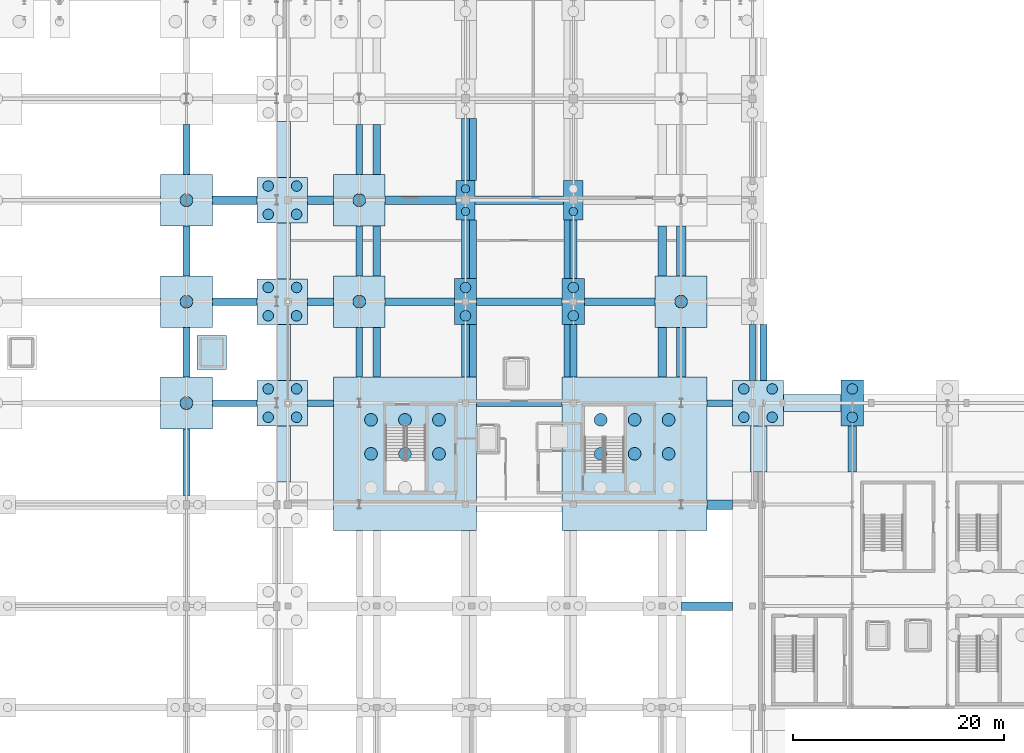
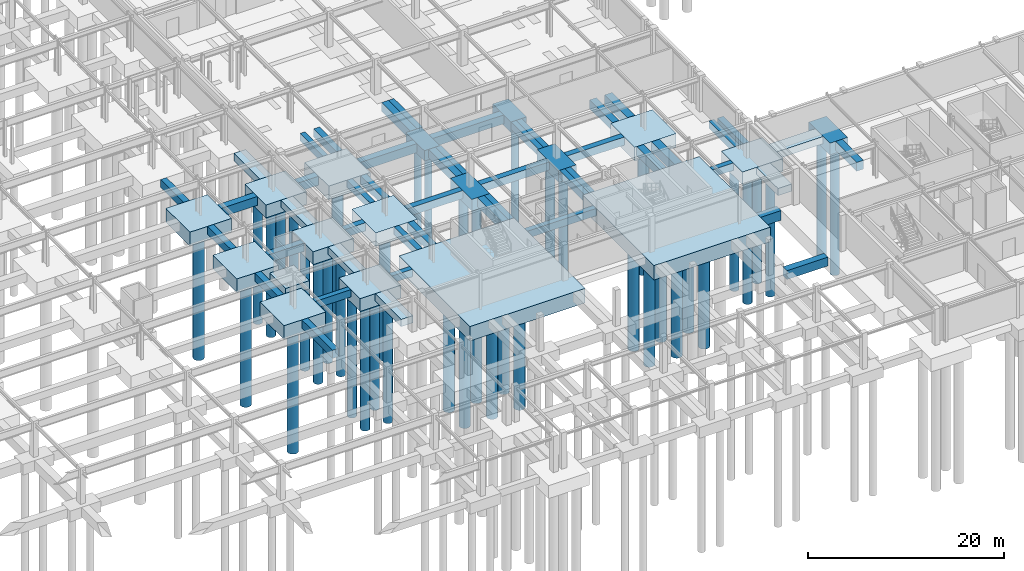
# One storey, part 3 of 59: 66 footings, 43 piles.
"""IFC4 building model written with IfcOpenShell, lengths in metres."""

import ifcopenshell
import ifcopenshell.guid

model = None  # the IFC model being written
_history = None  # IfcOwnerHistory: only IFC2X3 demands one
_inside = {}  # id of a spatial element -> (the spatial element, [elements in it])
_under = {}  # id of a project, library or spatial element -> (it, [spatial elements below it])
_declared = {}  # id of a project -> (the project, [libraries it declares])
_typed = {}  # id of a type object -> (the type object, [elements of that type])
_made_of = {}  # id of a material, layer set ... -> (it, [elements and type objects made of it])


def new_model(schema):
    """Start an empty IFC model of exactly this schema.

    Asked for "IFC4X3", IfcOpenShell would pick the latest addendum, in which some entities
    have other attributes; the version numbers below select the first issue.
    IFC2X3 requires an IfcOwnerHistory on every rooted entity: one is made here for all.
    """
    global model, _history
    if schema == "IFC4X3":
        model = ifcopenshell.file(schema_version=(4, 3, 0, 0))
    else:
        model = ifcopenshell.file(schema=schema)
    _inside.clear()
    _under.clear()
    _declared.clear()
    _typed.clear()
    _made_of.clear()
    _history = None
    if model.schema == "IFC2X3":
        org = make("IfcOrganization", Name="unknown")
        user = make(
            "IfcPersonAndOrganization",
            ThePerson=make("IfcPerson", FamilyName="unknown"),
            TheOrganization=org,
        )
        app = make(
            "IfcApplication",
            ApplicationDeveloper=org,
            Version="unknown",
            ApplicationFullName="unknown",
            ApplicationIdentifier="unknown",
        )
        _history = make(
            "IfcOwnerHistory",
            OwningUser=user,
            OwningApplication=app,
            ChangeAction="ADDED",
            CreationDate=0,
        )
    return model


def make(cls, **values):
    """One entity of the class cls with the attributes given. An attribute that is None is left unset."""
    return model.create_entity(
        cls, **{name: value for name, value in values.items() if value is not None}
    )


def rooted(cls, **values):
    """An entity with a GlobalId (a new one), such as an element, a storey or a relation."""
    return make(cls, GlobalId=ifcopenshell.guid.new(), OwnerHistory=_history, **values)


def si_unit(unit_type, name, prefix=None):
    """IfcSIUnit, for example si_unit("LENGTHUNIT", "METRE", prefix="MILLI")."""
    return make("IfcSIUnit", UnitType=unit_type, Prefix=prefix, Name=name)


def assignment(units):
    """IfcUnitAssignment: the units of a project."""
    return None if units is None else make("IfcUnitAssignment", Units=units)


def point(xyz):
    """IfcCartesianPoint."""
    return None if xyz is None else make("IfcCartesianPoint", Coordinates=xyz)


def direction(xyz):
    """IfcDirection."""
    return None if xyz is None else make("IfcDirection", DirectionRatios=xyz)


def frame(location, z_axis=None, x_axis=None):
    """IfcAxis2Placement3D, a coordinate frame: its origin and axes. An axis left out is left unset."""
    return make(
        "IfcAxis2Placement3D",
        Location=point(location),
        Axis=direction(z_axis),
        RefDirection=direction(x_axis),
    )


def frame_2d(location, x_axis=None):
    """IfcAxis2Placement2D, a coordinate frame in the plane: its origin and x axis."""
    return make(
        "IfcAxis2Placement2D", Location=point(location), RefDirection=direction(x_axis)
    )


def origin():
    """The frame at (0, 0, 0) with its axes left unset."""
    return frame((0.0, 0.0, 0.0))


def origin_2d():
    """The frame at (0, 0) in the plane with its x axis left unset."""
    return frame_2d((0.0, 0.0))


def place(relative_to, where):
    """IfcLocalPlacement: puts the frame where relative to a parent placement (None: the world)."""
    return make(
        "IfcLocalPlacement", PlacementRelTo=relative_to, RelativePlacement=where
    )


def context(
    kind, dimensions, precision=None, world=None, true_north=None, identifier=None
):
    """IfcGeometricRepresentationContext, for example the 3D "Model" context."""
    return make(
        "IfcGeometricRepresentationContext",
        ContextIdentifier=identifier,
        ContextType=kind,
        CoordinateSpaceDimension=dimensions,
        Precision=precision,
        WorldCoordinateSystem=world,
        TrueNorth=true_north,
    )


def subcontext(parent, identifier, kind, view, scale=None):
    """IfcGeometricRepresentationSubContext, for example "Body" below "Model"."""
    return make(
        "IfcGeometricRepresentationSubContext",
        ContextIdentifier=identifier,
        ContextType=kind,
        ParentContext=parent,
        TargetScale=scale,
        TargetView=view,
    )


def project(units=None, contexts=None):
    """IfcProject with its units and contexts."""
    return rooted(
        "IfcProject",
        Name="project",
        RepresentationContexts=contexts,
        UnitsInContext=assignment(units),
    )


def spatial(cls, under=None, at=None, **own):
    """A site, building, storey or space (cls), placed at a placement, below another one or the project."""
    s = rooted(cls, ObjectPlacement=at, **own)
    if under is not None:
        _under.setdefault(under.id(), (under, []))[1].append(s)
    return s


def profile(cls, at=None, kind="AREA", **sizes):
    """A parametric profile (cls). Its sizes go by their IFC names, for example OverallWidth=200.0."""
    return make(cls, ProfileType=kind, Position=at, **sizes)


def rectangle(**sizes):
    """IfcRectangleProfileDef."""
    return profile("IfcRectangleProfileDef", **sizes)


def circle(**sizes):
    """IfcCircleProfileDef."""
    return profile("IfcCircleProfileDef", **sizes)


def extrude(swept, where, along, depth):
    """IfcExtrudedAreaSolid: the profile swept, set in the frame where, extruded along a direction by depth."""
    return make(
        "IfcExtrudedAreaSolid",
        SweptArea=swept,
        Position=where,
        ExtrudedDirection=direction(along),
        Depth=depth,
    )


def shape(context_of_items, identifier, shape_type, items):
    """IfcShapeRepresentation: the items that make up one representation, for example the "Body"."""
    return make(
        "IfcShapeRepresentation",
        ContextOfItems=context_of_items,
        RepresentationIdentifier=identifier,
        RepresentationType=shape_type,
        Items=items,
    )


def material(Name=None, Category=None):
    """IfcMaterial."""
    return make("IfcMaterial", Name=Name, Category=Category)


def material_profile(
    of_material, cross_section, Name=None, Category=None, Priority=None
):
    """IfcMaterialProfile: a cross section and its material."""
    return make(
        "IfcMaterialProfile",
        Name=Name,
        Material=of_material,
        Profile=cross_section,
        Priority=Priority,
        Category=Category,
    )


def profile_set(profiles, Name=None, composite=None):
    """IfcMaterialProfileSet."""
    return make(
        "IfcMaterialProfileSet",
        Name=Name,
        MaterialProfiles=profiles,
        CompositeProfile=composite,
    )


def made_of(thing, what):
    """Note that an element or type object is made of a material, layer set ...; save() writes the relation."""
    if what is not None:
        _made_of.setdefault(what.id(), (what, []))[1].append(thing)
    return thing


def type_object(cls, material=None, **own):
    """A type object (cls), such as IfcWallType, which elements share."""
    return made_of(rooted(cls, **own), material)


def element(
    cls,
    number,
    at=None,
    inside=None,
    cuts=None,
    type_object=None,
    material=None,
    context=None,
    identifier="Body",
    shape_type=None,
    held_by="IfcProductDefinitionShape",
    body=None,
    shapes=None,
    **own,
):
    """One element of the class cls, such as IfcWall. Its Tag is "e" and its number.

    at: its placement. inside: the storey or other place that contains it. cuts: it is an
    opening in that element (IfcRelVoidsElement). A single representation is given by context,
    identifier, shape_type and body (its items); several are given by shapes. held_by: the class
    of the entity that holds the representations. save() writes the other relations.
    """
    e = rooted(cls, Tag="e%d" % number, ObjectPlacement=at, **own)
    if body is not None:
        shapes = [shape(context, identifier, shape_type, body)]
    if shapes is not None:
        e.Representation = make(held_by, Representations=shapes)
    if inside is not None:
        _inside.setdefault(inside.id(), (inside, []))[1].append(e)
    if cuts is not None:
        rooted(
            "IfcRelVoidsElement", RelatingBuildingElement=cuts, RelatedOpeningElement=e
        )
    if type_object is not None:
        _typed.setdefault(type_object.id(), (type_object, []))[1].append(e)
    return made_of(e, material)


def aggregate(whole, parts):
    """IfcRelAggregates: a whole, such as a stair, and the parts it consists of."""
    return rooted("IfcRelAggregates", RelatingObject=whole, RelatedObjects=parts)


def save(model, path):
    """Write the relations noted so far, then the file.

    IfcRelAggregates (storeys below a building ...), IfcRelContainedInSpatialStructure (elements
    in a storey), IfcRelDefinesByType, IfcRelAssociatesMaterial and IfcRelDeclares: one each for
    every whole, place, type object, material and project.
    """
    for whole, parts in _under.values():
        aggregate(whole, parts)
    for where, things in _inside.values():
        rooted(
            "IfcRelContainedInSpatialStructure",
            RelatedElements=things,
            RelatingStructure=where,
        )
    for kind, things in _typed.values():
        rooted("IfcRelDefinesByType", RelatedObjects=things, RelatingType=kind)
    for what, things in _made_of.values():
        rooted("IfcRelAssociatesMaterial", RelatedObjects=things, RelatingMaterial=what)
    for by, libraries in _declared.values():
        rooted("IfcRelDeclares", RelatingContext=by, RelatedDefinitions=libraries)
    model.write(path)


model = new_model("IFC4")

# Units and contexts
model_context = context("Model", 3, precision=1e-05, world=origin(), true_north=direction((0.0, 1.0)))
body_context = subcontext(model_context, "Body", "Model", "MODEL_VIEW")
ifc_project = project(units=[si_unit("LENGTHUNIT", "METRE"), si_unit("AREAUNIT", "SQUARE_METRE"), si_unit("VOLUMEUNIT", "CUBIC_METRE"), si_unit("PLANEANGLEUNIT", "RADIAN"), si_unit("MASSUNIT", "GRAM", prefix="KILO")], contexts=[model_context])

# Site, building, storey
site_placement = place(None, origin())
site = spatial("IfcSite", under=ifc_project, at=site_placement, CompositionType="ELEMENT")
building_placement = place(site_placement, origin())
building = spatial("IfcBuilding", under=site, at=building_placement, Name="Myrtia Square Station", CompositionType="ELEMENT")
storey_placement = place(building_placement, frame((0.0, 0.0, -4.5)))
storey = spatial("IfcBuildingStorey", under=building, at=storey_placement, Name="B01", CompositionType="ELEMENT", Elevation=-4.5)

# Footings
ifc_material = material(Name="Concrete C35/45", Category="concrete")
ifc_material_profile_1 = material_profile(ifc_material, rectangle(XDim=0.60009765625, YDim=0.89990234375, at=origin_2d()), Name="FB 600x900")
ifc_profile_set_1 = profile_set([ifc_material_profile_1], Name="Concrete C35/45")
footing_type_1 = type_object("IfcFootingType", Name="FBM-600x900", PredefinedType="FOOTING_BEAM", material=ifc_profile_set_1)
footing_1_placement = place(storey_placement, frame((65.449951171875, 38.39990234375, -0.449951171875), z_axis=(1.0, 0.0, 0.0), x_axis=(0.0, 1.0, 0.0)))
element("IfcFooting", 1, at=footing_1_placement, inside=storey, type_object=footing_type_1, Name="Seismic foundation tie beam X-0047", PredefinedType="FOOTING_BEAM", context=body_context, shape_type="SweptSolid", body=[
    extrude(rectangle(XDim=0.60009765625, YDim=0.89990234375, at=origin_2d()), origin(), (0.0, 0.0, 1.0), 4.22509765625),
])
footing_2_placement = place(storey_placement, frame((74.47509765625, 38.39990234375, -0.449951171875), z_axis=(1.0, 0.0, 0.0), x_axis=(0.0, 1.0, 0.0)))
element("IfcFooting", 2, at=footing_2_placement, inside=storey, type_object=footing_type_1, Name="Seismic foundation tie beam X-0048", PredefinedType="FOOTING_BEAM", context=body_context, shape_type="SweptSolid", body=[
    extrude(rectangle(XDim=0.60009765625, YDim=0.89990234375, at=origin_2d()), origin(), (0.0, 0.0, 1.0), 2.4248046875),
])
footing_3_placement = place(storey_placement, frame((90.449951171875, 38.39990234375, -0.449951171875), z_axis=(1.0, 0.0, 0.0), x_axis=(0.0, 1.0, 0.0)))
element("IfcFooting", 3, at=footing_3_placement, inside=storey, type_object=footing_type_1, Name="Seismic foundation tie beam X-0049", PredefinedType="FOOTING_BEAM", context=body_context, shape_type="SweptSolid", body=[
    extrude(rectangle(XDim=0.60009765625, YDim=0.89990234375, at=origin_2d()), origin(), (0.0, 0.0, 1.0), 8.10009765625),
])
footing_4_placement = place(storey_placement, frame((112.25, 38.39990234375, -0.449951171875), z_axis=(1.0, 0.0, 0.0), x_axis=(0.0, 1.0, 0.0)))
element("IfcFooting", 4, at=footing_4_placement, inside=storey, type_object=footing_type_1, Name="Seismic foundation tie beam X-0050", PredefinedType="FOOTING_BEAM", context=body_context, shape_type="SweptSolid", body=[
    extrude(rectangle(XDim=0.60009765625, YDim=0.89990234375, at=origin_2d()), origin(), (0.0, 0.0, 1.0), 2.425048828125),
])
for number, where, z_axis, x_axis, name in (
    (5, (79.35009765625, 40.85009765625, -0.449951171875), (0.0, 1.0, 0.0), (-1.0, 0.0, 0.0), "Seismic foundation tie beam Y-0230"),
    (6, (79.35009765625, 50.449951171875, -0.449951171875), (0.0, 1.0, 0.0), (-1.0, 0.0, 0.0), "Seismic foundation tie beam Y-0231"),
    (7, (79.35009765625, 60.050048828125, -0.449951171875), (0.0, 1.0, 0.0), (-1.0, 0.0, 0.0), "Seismic foundation tie beam Y-0232"),
):
    element("IfcFooting", number, at=place(storey_placement, frame(where, z_axis=z_axis, x_axis=x_axis)), inside=storey, type_object=footing_type_1, Name=name, PredefinedType="FOOTING_BEAM", context=body_context, shape_type="SweptSolid", body=[
        extrude(rectangle(XDim=0.60009765625, YDim=0.89990234375, at=origin_2d()), origin(), (0.0, 0.0, 1.0), 4.699951171875),
    ])
footing_5_placement = place(storey_placement, frame((99.0, 40.85009765625, -0.449951171875), z_axis=(0.0, 1.0, 0.0), x_axis=(-1.0, 0.0, 0.0)))
element("IfcFooting", 8, at=footing_5_placement, inside=storey, type_object=footing_type_1, Name="Seismic foundation tie beam Y-0265", PredefinedType="FOOTING_BEAM", context=body_context, shape_type="SweptSolid", body=[
    extrude(rectangle(XDim=0.60009765625, YDim=0.89990234375, at=origin_2d()), origin(), (0.0, 0.0, 1.0), 4.969970703125),
])
footing_6_placement = place(storey_placement, frame((99.0, 50.179931640625, -0.449951171875), z_axis=(0.0, 1.0, 0.0), x_axis=(-1.0, 0.0, 0.0)))
element("IfcFooting", 9, at=footing_6_placement, inside=storey, type_object=footing_type_1, Name="Seismic foundation tie beam Y-0266", PredefinedType="FOOTING_BEAM", context=body_context, shape_type="SweptSolid", body=[
    extrude(rectangle(XDim=0.60009765625, YDim=0.89990234375, at=origin_2d()), origin(), (0.0, 0.0, 1.0), 5.56005859375),
])
footing_7_placement = place(storey_placement, frame((116.550048828125, 40.550048828125, -0.449951171875), z_axis=(0.0, 1.0, 0.0), x_axis=(-1.0, 0.0, 0.0)))
element("IfcFooting", 10, at=footing_7_placement, inside=storey, type_object=footing_type_1, Name="Seismic foundation tie beam Y-0297", PredefinedType="FOOTING_BEAM", context=body_context, shape_type="SweptSolid", body=[
    extrude(rectangle(XDim=0.60009765625, YDim=0.89990234375, at=origin_2d()), origin(), (0.0, 0.0, 1.0), 5.27001953125),
])
ifc_material_profile_2 = material_profile(ifc_material, rectangle(XDim=0.699951171875, YDim=1.0, at=origin_2d()), Name="FB 700x1000")
ifc_profile_set_2 = profile_set([ifc_material_profile_2], Name="Concrete C35/45")
footing_type_2 = type_object("IfcFootingType", Name="FBM-700x1000", PredefinedType="FOOTING_BEAM", material=ifc_profile_set_2)
footing_8_placement = place(storey_placement, frame((65.449951171875, 48.0, -0.5), z_axis=(1.0, 0.0, 0.0), x_axis=(0.0, 1.0, 0.0)))
element("IfcFooting", 11, at=footing_8_placement, inside=storey, type_object=footing_type_2, Name="Seismic foundation tie beam X-0056", PredefinedType="FOOTING_BEAM", context=body_context, shape_type="SweptSolid", body=[
    extrude(rectangle(XDim=0.699951171875, YDim=1.0, at=origin_2d()), origin(), (0.0, 0.0, 1.0), 4.22509765625),
])
footing_9_placement = place(storey_placement, frame((74.47509765625, 48.0, -0.5), z_axis=(1.0, 0.0, 0.0), x_axis=(0.0, 1.0, 0.0)))
element("IfcFooting", 12, at=footing_9_placement, inside=storey, type_object=footing_type_2, Name="Seismic foundation tie beam X-0057", PredefinedType="FOOTING_BEAM", context=body_context, shape_type="SweptSolid", body=[
    extrude(rectangle(XDim=0.699951171875, YDim=1.0, at=origin_2d()), origin(), (0.0, 0.0, 1.0), 2.4248046875),
])
footing_10_placement = place(storey_placement, frame((81.800048828125, 48.0, -0.5), z_axis=(1.0, 0.0, 0.0), x_axis=(0.0, 1.0, 0.0)))
element("IfcFooting", 13, at=footing_10_placement, inside=storey, type_object=footing_type_2, Name="Seismic foundation tie beam X-0058", PredefinedType="FOOTING_BEAM", context=body_context, shape_type="SweptSolid", body=[
    extrude(rectangle(XDim=0.699951171875, YDim=1.0, at=origin_2d()), origin(), (0.0, 0.0, 1.0), 6.550048828125),
])
footing_11_placement = place(storey_placement, frame((90.449951171875, 48.0, -0.5), z_axis=(1.0, 0.0, 0.0), x_axis=(0.0, 1.0, 0.0)))
element("IfcFooting", 14, at=footing_11_placement, inside=storey, type_object=footing_type_2, Name="Seismic foundation tie beam X-0059", PredefinedType="FOOTING_BEAM", context=body_context, shape_type="SweptSolid", body=[
    extrude(rectangle(XDim=0.699951171875, YDim=1.0, at=origin_2d()), origin(), (0.0, 0.0, 1.0), 8.10009765625),
])
footing_12_placement = place(storey_placement, frame((100.64990234375, 48.0, -0.5), z_axis=(1.0, 0.0, 0.0), x_axis=(0.0, 1.0, 0.0)))
element("IfcFooting", 15, at=footing_12_placement, inside=storey, type_object=footing_type_2, Name="Seismic foundation tie beam X-0060", PredefinedType="FOOTING_BEAM", context=body_context, shape_type="SweptSolid", body=[
    extrude(rectangle(XDim=0.699951171875, YDim=1.0, at=origin_2d()), origin(), (0.0, 0.0, 1.0), 6.7001953125),
])
footing_13_placement = place(storey_placement, frame((63.0, 29.679931640625, -0.5), z_axis=(0.0, 1.0, 0.0), x_axis=(-1.0, 0.0, 0.0)))
element("IfcFooting", 16, at=footing_13_placement, inside=storey, type_object=footing_type_2, Name="Seismic foundation tie beam Y-0205", PredefinedType="FOOTING_BEAM", context=body_context, shape_type="SweptSolid", body=[
    extrude(rectangle(XDim=0.699951171875, YDim=1.0, at=origin_2d()), origin(), (0.0, 0.0, 1.0), 6.27001953125),
])
for number, where, z_axis, x_axis, name in (
    (17, (63.0, 40.85009765625, -0.5), (0.0, 1.0, 0.0), (-1.0, 0.0, 0.0), "Seismic foundation tie beam Y-0206"),
    (18, (63.0, 50.449951171875, -0.5), (0.0, 1.0, 0.0), (-1.0, 0.0, 0.0), "Seismic foundation tie beam Y-0207"),
    (19, (63.0, 60.050048828125, -0.5), (0.0, 1.0, 0.0), (-1.0, 0.0, 0.0), "Seismic foundation tie beam Y-0208"),
    (20, (81.0, 40.85009765625, -0.5), (0.0, 1.0, 0.0), (-1.0, 0.0, 0.0), "Seismic foundation tie beam Y-0238"),
    (21, (81.0, 50.449951171875, -0.5), (0.0, 1.0, 0.0), (-1.0, 0.0, 0.0), "Seismic foundation tie beam Y-0239"),
    (22, (81.0, 60.050048828125, -0.5), (0.0, 1.0, 0.0), (-1.0, 0.0, 0.0), "Seismic foundation tie beam Y-0240"),
):
    element("IfcFooting", number, at=place(storey_placement, frame(where, z_axis=z_axis, x_axis=x_axis)), inside=storey, type_object=footing_type_2, Name=name, PredefinedType="FOOTING_BEAM", context=body_context, shape_type="SweptSolid", body=[
        extrude(rectangle(XDim=0.699951171875, YDim=1.0, at=origin_2d()), origin(), (0.0, 0.0, 1.0), 4.699951171875),
    ])
footing_14_placement = place(storey_placement, frame((99.60009765625, 40.85009765625, -0.5), z_axis=(0.0, 1.0, 0.0), x_axis=(-1.0, 0.0, 0.0)))
element("IfcFooting", 23, at=footing_14_placement, inside=storey, type_object=footing_type_2, Name="Seismic foundation tie beam Y-0274", PredefinedType="FOOTING_BEAM", context=body_context, shape_type="SweptSolid", body=[
    extrude(rectangle(XDim=0.699951171875, YDim=1.0, at=origin_2d()), origin(), (0.0, 0.0, 1.0), 4.969970703125),
])
footing_15_placement = place(storey_placement, frame((99.60009765625, 50.179931640625, -0.5), z_axis=(0.0, 1.0, 0.0), x_axis=(-1.0, 0.0, 0.0)))
element("IfcFooting", 24, at=footing_15_placement, inside=storey, type_object=footing_type_2, Name="Seismic foundation tie beam Y-0275", PredefinedType="FOOTING_BEAM", context=body_context, shape_type="SweptSolid", body=[
    extrude(rectangle(XDim=0.699951171875, YDim=1.0, at=origin_2d()), origin(), (0.0, 0.0, 1.0), 5.56005859375),
])
footing_16_placement = place(storey_placement, frame((117.60009765625, 40.550048828125, -0.5), z_axis=(0.0, 1.0, 0.0), x_axis=(-1.0, 0.0, 0.0)))
element("IfcFooting", 25, at=footing_16_placement, inside=storey, type_object=footing_type_2, Name="Seismic foundation tie beam Y-0302", PredefinedType="FOOTING_BEAM", context=body_context, shape_type="SweptSolid", body=[
    extrude(rectangle(XDim=0.699951171875, YDim=1.0, at=origin_2d()), origin(), (0.0, 0.0, 1.0), 5.27001953125),
])
ifc_material_profile_3 = material_profile(ifc_material, rectangle(XDim=0.800048828125, YDim=1.10009765625, at=origin_2d()), Name="FB 800x1100")
ifc_profile_set_3 = profile_set([ifc_material_profile_3], Name="Concrete C35/45")
footing_type_3 = type_object("IfcFootingType", Name="FBM-800x1100", PredefinedType="FOOTING_BEAM", material=ifc_profile_set_3)
footing_17_placement = place(storey_placement, frame((109.820068359375, 19.199951171875, -0.550048828125), z_axis=(1.0, 0.0, 0.0), x_axis=(0.0, 1.0, 0.0)))
element("IfcFooting", 26, at=footing_17_placement, inside=storey, type_object=footing_type_3, Name="Seismic foundation tie beam X-0030", PredefinedType="FOOTING_BEAM", context=body_context, shape_type="SweptSolid", body=[
    extrude(rectangle(XDim=0.800048828125, YDim=1.10009765625, at=origin_2d()), origin(), (0.0, 0.0, 1.0), 4.85498046875),
])
footing_18_placement = place(storey_placement, frame((65.449951171875, 57.60009765625, -0.550048828125), z_axis=(1.0, 0.0, 0.0), x_axis=(0.0, 1.0, 0.0)))
element("IfcFooting", 27, at=footing_18_placement, inside=storey, type_object=footing_type_3, Name="Seismic foundation tie beam X-0067", PredefinedType="FOOTING_BEAM", context=body_context, shape_type="SweptSolid", body=[
    extrude(rectangle(XDim=0.800048828125, YDim=1.10009765625, at=origin_2d()), origin(), (0.0, 0.0, 1.0), 4.22509765625),
])
footing_19_placement = place(storey_placement, frame((74.47509765625, 57.60009765625, -0.550048828125), z_axis=(1.0, 0.0, 0.0), x_axis=(0.0, 1.0, 0.0)))
element("IfcFooting", 28, at=footing_19_placement, inside=storey, type_object=footing_type_3, Name="Seismic foundation tie beam X-0068", PredefinedType="FOOTING_BEAM", context=body_context, shape_type="SweptSolid", body=[
    extrude(rectangle(XDim=0.800048828125, YDim=1.10009765625, at=origin_2d()), origin(), (0.0, 0.0, 1.0), 2.4248046875),
])
footing_20_placement = place(storey_placement, frame((81.800048828125, 57.60009765625, -0.550048828125), z_axis=(1.0, 0.0, 0.0), x_axis=(0.0, 1.0, 0.0)))
element("IfcFooting", 29, at=footing_20_placement, inside=storey, type_object=footing_type_3, Name="Seismic foundation tie beam X-0069", PredefinedType="FOOTING_BEAM", context=body_context, shape_type="SweptSolid", body=[
    extrude(rectangle(XDim=0.800048828125, YDim=1.10009765625, at=origin_2d()), origin(), (0.0, 0.0, 1.0), 6.679931640625),
])
footing_21_placement = place(storey_placement, frame((90.320068359375, 57.60009765625, -0.550048828125), z_axis=(1.0, 0.0, 0.0), x_axis=(0.0, 1.0, 0.0)))
element("IfcFooting", 30, at=footing_21_placement, inside=storey, type_object=footing_type_3, Name="Seismic foundation tie beam X-0070", PredefinedType="FOOTING_BEAM", context=body_context, shape_type="SweptSolid", body=[
    extrude(rectangle(XDim=0.800048828125, YDim=1.10009765625, at=origin_2d()), origin(), (0.0, 0.0, 1.0), 8.35986328125),
])
footing_22_placement = place(storey_placement, frame((89.39990234375, 40.85009765625, -0.550048828125), z_axis=(0.0, 1.0, 0.0), x_axis=(-1.0, 0.0, 0.0)))
element("IfcFooting", 31, at=footing_22_placement, inside=storey, type_object=footing_type_3, Name="Seismic foundation tie beam Y-0247", PredefinedType="FOOTING_BEAM", context=body_context, shape_type="SweptSolid", body=[
    extrude(rectangle(XDim=0.800048828125, YDim=1.10009765625, at=origin_2d()), origin(), (0.0, 0.0, 1.0), 4.969970703125),
])
footing_23_placement = place(storey_placement, frame((89.39990234375, 50.179931640625, -0.550048828125), z_axis=(0.0, 1.0, 0.0), x_axis=(-1.0, 0.0, 0.0)))
element("IfcFooting", 32, at=footing_23_placement, inside=storey, type_object=footing_type_3, Name="Seismic foundation tie beam Y-0248", PredefinedType="FOOTING_BEAM", context=body_context, shape_type="SweptSolid", body=[
    extrude(rectangle(XDim=0.800048828125, YDim=1.10009765625, at=origin_2d()), origin(), (0.0, 0.0, 1.0), 5.56005859375),
])
footing_24_placement = place(storey_placement, frame((89.39990234375, 59.4599609375, -0.550048828125), z_axis=(0.0, 1.0, 0.0), x_axis=(-1.0, 0.0, 0.0)))
element("IfcFooting", 33, at=footing_24_placement, inside=storey, type_object=footing_type_3, Name="Seismic foundation tie beam Y-0249", PredefinedType="FOOTING_BEAM", context=body_context, shape_type="SweptSolid", body=[
    extrude(rectangle(XDim=0.800048828125, YDim=1.10009765625, at=origin_2d()), origin(), (0.0, 0.0, 1.0), 5.880126953125),
])
for number, where, z_axis, x_axis, name in (
    (34, (108.0, 40.85009765625, -0.550048828125), (0.0, 1.0, 0.0), (-1.0, 0.0, 0.0), "Seismic foundation tie beam Y-0283"),
    (35, (108.0, 50.449951171875, -0.550048828125), (0.0, 1.0, 0.0), (-1.0, 0.0, 0.0), "Seismic foundation tie beam Y-0284"),
):
    element("IfcFooting", number, at=place(storey_placement, frame(where, z_axis=z_axis, x_axis=x_axis)), inside=storey, type_object=footing_type_3, Name=name, PredefinedType="FOOTING_BEAM", context=body_context, shape_type="SweptSolid", body=[
        extrude(rectangle(XDim=0.800048828125, YDim=1.10009765625, at=origin_2d()), origin(), (0.0, 0.0, 1.0), 4.699951171875),
    ])
footing_25_placement = place(storey_placement, frame((126.0, 31.89990234375, -0.550048828125), z_axis=(0.0, 1.0, 0.0), x_axis=(-1.0, 0.0, 0.0)))
element("IfcFooting", 36, at=footing_25_placement, inside=storey, type_object=footing_type_3, Name="Seismic foundation tie beam Y-0308", PredefinedType="FOOTING_BEAM", context=body_context, shape_type="SweptSolid", body=[
    extrude(rectangle(XDim=0.800048828125, YDim=1.10009765625, at=origin_2d()), origin(), (0.0, 0.0, 1.0), 4.320068359375),
])
ifc_material_profile_4 = material_profile(ifc_material, rectangle(XDim=0.89990234375, YDim=1.199951171875, at=origin_2d()), Name="FB 900x1200")
ifc_profile_set_4 = profile_set([ifc_material_profile_4], Name="Concrete C35/45")
footing_type_4 = type_object("IfcFootingType", Name="FBM-900x1200", PredefinedType="FOOTING_BEAM", material=ifc_profile_set_4)
footing_26_placement = place(storey_placement, frame((112.25, 28.800048828125, -0.60009765625), z_axis=(1.0, 0.0, 0.0), x_axis=(0.0, 1.0, 0.0)))
element("IfcFooting", 37, at=footing_26_placement, inside=storey, type_object=footing_type_4, Name="Seismic foundation tie beam X-0039", PredefinedType="FOOTING_BEAM", context=body_context, shape_type="SweptSolid", body=[
    extrude(rectangle(XDim=0.89990234375, YDim=1.199951171875, at=origin_2d()), origin(), (0.0, 0.0, 1.0), 2.425048828125),
])
footing_27_placement = place(storey_placement, frame((90.0, 40.85009765625, -0.60009765625), z_axis=(0.0, 1.0, 0.0), x_axis=(-1.0, 0.0, 0.0)))
element("IfcFooting", 38, at=footing_27_placement, inside=storey, type_object=footing_type_4, Name="Seismic foundation tie beam Y-0256", PredefinedType="FOOTING_BEAM", context=body_context, shape_type="SweptSolid", body=[
    extrude(rectangle(XDim=0.89990234375, YDim=1.199951171875, at=origin_2d()), origin(), (0.0, 0.0, 1.0), 4.969970703125),
])
footing_28_placement = place(storey_placement, frame((90.0, 50.179931640625, -0.60009765625), z_axis=(0.0, 1.0, 0.0), x_axis=(-1.0, 0.0, 0.0)))
element("IfcFooting", 39, at=footing_28_placement, inside=storey, type_object=footing_type_4, Name="Seismic foundation tie beam Y-0257", PredefinedType="FOOTING_BEAM", context=body_context, shape_type="SweptSolid", body=[
    extrude(rectangle(XDim=0.89990234375, YDim=1.199951171875, at=origin_2d()), origin(), (0.0, 0.0, 1.0), 5.56005859375),
])
footing_29_placement = place(storey_placement, frame((90.0, 59.4599609375, -0.60009765625), z_axis=(0.0, 1.0, 0.0), x_axis=(-1.0, 0.0, 0.0)))
element("IfcFooting", 40, at=footing_29_placement, inside=storey, type_object=footing_type_4, Name="Seismic foundation tie beam Y-0258", PredefinedType="FOOTING_BEAM", context=body_context, shape_type="SweptSolid", body=[
    extrude(rectangle(XDim=0.89990234375, YDim=1.199951171875, at=origin_2d()), origin(), (0.0, 0.0, 1.0), 5.880126953125),
])
for number, where, z_axis, x_axis, name in (
    (41, (109.800048828125, 40.85009765625, -0.60009765625), (0.0, 1.0, 0.0), (-1.0, 0.0, 0.0), "Seismic foundation tie beam Y-0292"),
    (42, (109.800048828125, 50.449951171875, -0.60009765625), (0.0, 1.0, 0.0), (-1.0, 0.0, 0.0), "Seismic foundation tie beam Y-0293"),
):
    element("IfcFooting", number, at=place(storey_placement, frame(where, z_axis=z_axis, x_axis=x_axis)), inside=storey, type_object=footing_type_4, Name=name, PredefinedType="FOOTING_BEAM", context=body_context, shape_type="SweptSolid", body=[
        extrude(rectangle(XDim=0.89990234375, YDim=1.199951171875, at=origin_2d()), origin(), (0.0, 0.0, 1.0), 4.699951171875),
    ])
footing_type_5 = type_object("IfcFootingType", Name="FCAP-1355x1450x180", PredefinedType="PILE_CAP", material=ifc_material)
footing_30_placement = place(storey_placement, frame((83.675048828125, 33.60009765625, -1.7998046875), z_axis=(0.0, 0.0, 1.0), x_axis=(1.0, 0.0, 0.0)))
element("IfcFooting", 43, at=footing_30_placement, inside=storey, type_object=footing_type_5, Name="Reinforced concrete pile cap CAP-CORE-K1", PredefinedType="PILE_CAP", context=body_context, shape_type="SweptSolid", body=[
    extrude(rectangle(XDim=13.550048828125, YDim=14.5, at=origin_2d()), origin(), (0.0, 0.0, 1.0), 1.800048828125),
])
footing_type_6 = type_object("IfcFootingType", Name="FCAP-1370x1450x180", PredefinedType="PILE_CAP", material=ifc_material)
footing_31_placement = place(storey_placement, frame((105.39990234375, 33.60009765625, -1.7998046875), z_axis=(0.0, 0.0, 1.0), x_axis=(1.0, 0.0, 0.0)))
element("IfcFooting", 44, at=footing_31_placement, inside=storey, type_object=footing_type_6, Name="Reinforced concrete pile cap CAP-CORE-K3", PredefinedType="PILE_CAP", context=body_context, shape_type="SweptSolid", body=[
    extrude(rectangle(XDim=13.699951171875, YDim=14.5, at=origin_2d()), origin(), (0.0, 0.0, 1.0), 1.800048828125),
])
footing_type_7 = type_object("IfcFootingType", Name="FCAP-184x372x130", PredefinedType="PILE_CAP", material=ifc_material)
for number, where, z_axis, x_axis, name in (
    (45, (89.39990234375, 57.60009765625, -1.2998046875), (0.0, 0.0, 1.0), (1.0, 0.0, 0.0), "Reinforced concrete pile cap CAP-L2Y-115"),
    (46, (99.60009765625, 57.60009765625, -1.2998046875), (0.0, 0.0, 1.0), (1.0, 0.0, 0.0), "Reinforced concrete pile cap CAP-L2Y-123"),
):
    element("IfcFooting", number, at=place(storey_placement, frame(where, z_axis=z_axis, x_axis=x_axis)), inside=storey, type_object=footing_type_7, Name=name, PredefinedType="PILE_CAP", context=body_context, shape_type="SweptSolid", body=[
        extrude(rectangle(XDim=1.840087890625, YDim=3.719970703125, at=origin_2d()), origin(), (0.0, 0.0, 1.0), 1.300048828125),
    ])
footing_type_8 = type_object("IfcFootingType", Name="FCAP-210x436x145", PredefinedType="PILE_CAP", material=ifc_material)
for number, where, z_axis, x_axis, name in (
    (47, (89.39990234375, 48.0, -1.4501953125), (0.0, 0.0, 1.0), (1.0, 0.0, 0.0), "Reinforced concrete pile cap CAP-M2Y-114"),
    (48, (99.60009765625, 48.0, -1.4501953125), (0.0, 0.0, 1.0), (1.0, 0.0, 0.0), "Reinforced concrete pile cap CAP-M2Y-122"),
    (49, (126.0, 38.39990234375, -1.4501953125), (0.0, 0.0, 1.0), (1.0, 0.0, 0.0), "Reinforced concrete pile cap CAP-M2Y-167"),
):
    element("IfcFooting", number, at=place(storey_placement, frame(where, z_axis=z_axis, x_axis=x_axis)), inside=storey, type_object=footing_type_8, Name=name, PredefinedType="PILE_CAP", context=body_context, shape_type="SweptSolid", body=[
        extrude(rectangle(XDim=2.10009765625, YDim=4.360107421875, at=origin_2d()), origin(), (0.0, 0.0, 1.0), 1.449951171875),
    ])
footing_type_9 = type_object("IfcFootingType", Name="FCAP-480x430x160", PredefinedType="PILE_CAP", material=ifc_material)
for number, where, z_axis, x_axis, name in (
    (50, (72.074951171875, 38.39990234375, -1.60009765625), (0.0, 0.0, 1.0), (1.0, 0.0, 0.0), "Reinforced concrete pile cap CAP-JT-070"),
    (51, (72.074951171875, 48.0, -1.60009765625), (0.0, 0.0, 1.0), (1.0, 0.0, 0.0), "Reinforced concrete pile cap CAP-JT-071"),
    (52, (72.074951171875, 57.60009765625, -1.60009765625), (0.0, 0.0, 1.0), (1.0, 0.0, 0.0), "Reinforced concrete pile cap CAP-JT-072"),
    (53, (117.074951171875, 38.39990234375, -1.60009765625), (0.0, 0.0, 1.0), (1.0, 0.0, 0.0), "Reinforced concrete pile cap CAP-JT-085"),
):
    element("IfcFooting", number, at=place(storey_placement, frame(where, z_axis=z_axis, x_axis=x_axis)), inside=storey, type_object=footing_type_9, Name=name, PredefinedType="PILE_CAP", context=body_context, shape_type="SweptSolid", body=[
        extrude(rectangle(XDim=4.800048828125, YDim=4.300048828125, at=origin_2d()), origin(), (0.0, 0.0, 1.0), 1.60009765625),
    ])
footing_type_10 = type_object("IfcFootingType", Name="FCAP-490x490x170", PredefinedType="PILE_CAP", material=ifc_material)
for number, where, z_axis, x_axis, name in (
    (54, (63.0, 38.39990234375, -1.7001953125), (0.0, 0.0, 1.0), (1.0, 0.0, 0.0), "Reinforced concrete pile cap CAP-H4-056"),
    (55, (63.0, 48.0, -1.7001953125), (0.0, 0.0, 1.0), (1.0, 0.0, 0.0), "Reinforced concrete pile cap CAP-H4-057"),
    (56, (63.0, 57.60009765625, -1.7001953125), (0.0, 0.0, 1.0), (1.0, 0.0, 0.0), "Reinforced concrete pile cap CAP-H4-058"),
    (57, (79.35009765625, 48.0, -1.7001953125), (0.0, 0.0, 1.0), (1.0, 0.0, 0.0), "Reinforced concrete pile cap CAP-H4-090"),
    (58, (109.800048828125, 48.0, -1.7001953125), (0.0, 0.0, 1.0), (1.0, 0.0, 0.0), "Reinforced concrete pile cap CAP-H4-091"),
    (59, (79.35009765625, 57.60009765625, -1.7001953125), (0.0, 0.0, 1.0), (1.0, 0.0, 0.0), "Reinforced concrete pile cap CAP-H4-094"),
):
    element("IfcFooting", number, at=place(storey_placement, frame(where, z_axis=z_axis, x_axis=x_axis)), inside=storey, type_object=footing_type_10, Name=name, PredefinedType="PILE_CAP", context=body_context, shape_type="SweptSolid", body=[
        extrude(rectangle(XDim=4.89990234375, YDim=4.89990234375, at=origin_2d()), origin(), (0.0, 0.0, 1.0), 1.699951171875),
    ])
footing_type_11 = type_object("IfcFootingType", Name="PAD-1600x900", PredefinedType="PAD_FOOTING", material=ifc_material)
footing_32_placement = place(storey_placement, frame((65.39990234375, 43.199951171875, -1.0), z_axis=(0.0, 0.0, 1.0), x_axis=(1.0, 0.0, 0.0)))
element("IfcFooting", 60, at=footing_32_placement, inside=storey, type_object=footing_type_11, Name="Lift shaft pit foundation PL-04", PredefinedType="PAD_FOOTING", context=body_context, shape_type="SweptSolid", body=[
    extrude(rectangle(XDim=2.800048828125, YDim=3.199951171875, at=origin_2d()), origin(), (0.0, 0.0, 1.0), 1.0),
])

# Piles
ifc_material_profile_5 = material_profile(ifc_material, circle(Radius=0.5, at=origin_2d()), Name="BP D1000")
ifc_profile_set_5 = profile_set([ifc_material_profile_5], Name="Concrete C35/45")
pile_type_1 = type_object("IfcPileType", Name="PIL-BP1000", PredefinedType="BORED", material=ifc_profile_set_5)
for number, where, z_axis, x_axis, name in (
    (61, (70.735107421875, 37.06005859375, -1.5), (0.0, 0.0, -1.0), (1.0, 0.0, 0.0), "Bored pile 0227"),
    (62, (70.735107421875, 39.739990234375, -1.5), (0.0, 0.0, -1.0), (1.0, 0.0, 0.0), "Bored pile 0228"),
    (63, (73.4150390625, 37.06005859375, -1.5), (0.0, 0.0, -1.0), (1.0, 0.0, 0.0), "Bored pile 0229"),
    (64, (73.4150390625, 39.739990234375, -1.5), (0.0, 0.0, -1.0), (1.0, 0.0, 0.0), "Bored pile 0230"),
    (65, (70.735107421875, 46.659912109375, -1.5), (0.0, 0.0, -1.0), (1.0, 0.0, 0.0), "Bored pile 0231"),
    (66, (70.735107421875, 49.340087890625, -1.5), (0.0, 0.0, -1.0), (1.0, 0.0, 0.0), "Bored pile 0232"),
    (67, (73.4150390625, 46.659912109375, -1.5), (0.0, 0.0, -1.0), (1.0, 0.0, 0.0), "Bored pile 0233"),
    (68, (73.4150390625, 49.340087890625, -1.5), (0.0, 0.0, -1.0), (1.0, 0.0, 0.0), "Bored pile 0234"),
    (69, (70.735107421875, 56.260009765625, -1.5), (0.0, 0.0, -1.0), (1.0, 0.0, 0.0), "Bored pile 0235"),
    (70, (70.735107421875, 58.93994140625, -1.5), (0.0, 0.0, -1.0), (1.0, 0.0, 0.0), "Bored pile 0236"),
    (71, (73.4150390625, 56.260009765625, -1.5), (0.0, 0.0, -1.0), (1.0, 0.0, 0.0), "Bored pile 0237"),
    (72, (73.4150390625, 58.93994140625, -1.5), (0.0, 0.0, -1.0), (1.0, 0.0, 0.0), "Bored pile 0238"),
    (73, (115.735107421875, 37.06005859375, -1.5), (0.0, 0.0, -1.0), (1.0, 0.0, 0.0), "Bored pile 0267"),
    (74, (115.735107421875, 39.739990234375, -1.5), (0.0, 0.0, -1.0), (1.0, 0.0, 0.0), "Bored pile 0268"),
    (75, (118.4150390625, 37.06005859375, -1.5), (0.0, 0.0, -1.0), (1.0, 0.0, 0.0), "Bored pile 0269"),
    (76, (118.4150390625, 39.739990234375, -1.5), (0.0, 0.0, -1.0), (1.0, 0.0, 0.0), "Bored pile 0270"),
):
    element("IfcPile", number, at=place(storey_placement, frame(where, z_axis=z_axis, x_axis=x_axis)), inside=storey, type_object=pile_type_1, Name=name, PredefinedType="BORED", context=body_context, shape_type="SweptSolid", body=[
        extrude(circle(Radius=0.5, at=origin_2d()), origin(), (0.0, 0.0, 1.0), 15.5),
    ])
for number, where, z_axis, x_axis, name in (
    (77, (89.39990234375, 46.659912109375, -1.35009765625), (0.0, 0.0, -1.0), (1.0, 0.0, 0.0), "Bored pile 0301"),
    (78, (89.39990234375, 49.340087890625, -1.35009765625), (0.0, 0.0, -1.0), (1.0, 0.0, 0.0), "Bored pile 0302"),
    (79, (99.60009765625, 46.659912109375, -1.35009765625), (0.0, 0.0, -1.0), (1.0, 0.0, 0.0), "Bored pile 0309"),
    (80, (99.60009765625, 49.340087890625, -1.35009765625), (0.0, 0.0, -1.0), (1.0, 0.0, 0.0), "Bored pile 0310"),
    (81, (126.0, 37.06005859375, -1.35009765625), (0.0, 0.0, -1.0), (1.0, 0.0, 0.0), "Bored pile 0377"),
    (82, (126.0, 39.739990234375, -1.35009765625), (0.0, 0.0, -1.0), (1.0, 0.0, 0.0), "Bored pile 0378"),
):
    element("IfcPile", number, at=place(storey_placement, frame(where, z_axis=z_axis, x_axis=x_axis)), inside=storey, type_object=pile_type_1, Name=name, PredefinedType="BORED", context=body_context, shape_type="SweptSolid", body=[
        extrude(circle(Radius=0.5, at=origin_2d()), origin(), (0.0, 0.0, 1.0), 15.64990234375),
    ])
ifc_material_profile_6 = material_profile(ifc_material, circle(Radius=0.60009765625, at=origin_2d()), Name="BP D1200")
ifc_profile_set_6 = profile_set([ifc_material_profile_6], Name="Concrete C35/45")
pile_type_2 = type_object("IfcPileType", Name="PIL-BP1200", PredefinedType="BORED", material=ifc_profile_set_6)
for number, where, z_axis, x_axis, name in (
    (83, (80.458984375, 33.60009765625, -1.699951171875), (0.0, 0.0, -1.0), (1.0, 0.0, 0.0), "Bored pile 0002"),
    (84, (80.458984375, 36.81591796875, -1.699951171875), (0.0, 0.0, -1.0), (1.0, 0.0, 0.0), "Bored pile 0003"),
    (85, (83.675048828125, 33.60009765625, -1.699951171875), (0.0, 0.0, -1.0), (1.0, 0.0, 0.0), "Bored pile 0005"),
    (86, (83.675048828125, 36.81591796875, -1.699951171875), (0.0, 0.0, -1.0), (1.0, 0.0, 0.0), "Bored pile 0006"),
    (87, (86.89111328125, 33.60009765625, -1.699951171875), (0.0, 0.0, -1.0), (1.0, 0.0, 0.0), "Bored pile 0008"),
    (88, (86.89111328125, 36.81591796875, -1.699951171875), (0.0, 0.0, -1.0), (1.0, 0.0, 0.0), "Bored pile 0009"),
    (89, (102.18408203125, 33.60009765625, -1.699951171875), (0.0, 0.0, -1.0), (1.0, 0.0, 0.0), "Bored pile 0020"),
    (90, (102.18408203125, 36.81591796875, -1.699951171875), (0.0, 0.0, -1.0), (1.0, 0.0, 0.0), "Bored pile 0021"),
    (91, (105.39990234375, 33.60009765625, -1.699951171875), (0.0, 0.0, -1.0), (1.0, 0.0, 0.0), "Bored pile 0023"),
    (92, (105.39990234375, 36.81591796875, -1.699951171875), (0.0, 0.0, -1.0), (1.0, 0.0, 0.0), "Bored pile 0024"),
    (93, (108.615966796875, 33.60009765625, -1.699951171875), (0.0, 0.0, -1.0), (1.0, 0.0, 0.0), "Bored pile 0026"),
    (94, (108.615966796875, 36.81591796875, -1.699951171875), (0.0, 0.0, -1.0), (1.0, 0.0, 0.0), "Bored pile 0027"),
):
    element("IfcPile", number, at=place(storey_placement, frame(where, z_axis=z_axis, x_axis=x_axis)), inside=storey, type_object=pile_type_2, Name=name, PredefinedType="BORED", context=body_context, shape_type="SweptSolid", body=[
        extrude(circle(Radius=0.60009765625, at=origin_2d()), origin(), (0.0, 0.0, 1.0), 16.199951171875),
    ])
for number, where, z_axis, x_axis, name in (
    (95, (63.0, 38.39990234375, -1.60009765625), (0.0, 0.0, -1.0), (1.0, 0.0, 0.0), "Bored pile 0194"),
    (96, (63.0, 48.0, -1.60009765625), (0.0, 0.0, -1.0), (1.0, 0.0, 0.0), "Bored pile 0195"),
    (97, (63.0, 57.60009765625, -1.60009765625), (0.0, 0.0, -1.0), (1.0, 0.0, 0.0), "Bored pile 0196"),
    (98, (79.35009765625, 48.0, -1.60009765625), (0.0, 0.0, -1.0), (1.0, 0.0, 0.0), "Bored pile 0273"),
    (99, (109.800048828125, 48.0, -1.60009765625), (0.0, 0.0, -1.0), (1.0, 0.0, 0.0), "Bored pile 0274"),
    (100, (79.35009765625, 57.60009765625, -1.60009765625), (0.0, 0.0, -1.0), (1.0, 0.0, 0.0), "Bored pile 0277"),
):
    element("IfcPile", number, at=place(storey_placement, frame(where, z_axis=z_axis, x_axis=x_axis)), inside=storey, type_object=pile_type_2, Name=name, PredefinedType="BORED", context=body_context, shape_type="SweptSolid", body=[
        extrude(circle(Radius=0.60009765625, at=origin_2d()), origin(), (0.0, 0.0, 1.0), 16.300048828125),
    ])
ifc_material_profile_7 = material_profile(ifc_material, circle(Radius=0.39990234375, at=origin_2d()), Name="BP D800")
ifc_profile_set_7 = profile_set([ifc_material_profile_7], Name="Concrete C35/45")
pile_type_3 = type_object("IfcPileType", Name="PIL-BP800", PredefinedType="BORED", material=ifc_profile_set_7)
for number, where, z_axis, x_axis, name in (
    (101, (89.39990234375, 56.528076171875, -1.199951171875), (0.0, 0.0, -1.0), (1.0, 0.0, 0.0), "Bored pile 0303"),
    (102, (89.39990234375, 58.672119140625, -1.199951171875), (0.0, 0.0, -1.0), (1.0, 0.0, 0.0), "Bored pile 0304"),
    (103, (99.60009765625, 56.528076171875, -1.199951171875), (0.0, 0.0, -1.0), (1.0, 0.0, 0.0), "Bored pile 0311"),
):
    element("IfcPile", number, at=place(storey_placement, frame(where, z_axis=z_axis, x_axis=x_axis)), inside=storey, type_object=pile_type_3, Name=name, PredefinedType="BORED", context=body_context, shape_type="SweptSolid", body=[
        extrude(circle(Radius=0.39990234375, at=origin_2d()), origin(), (0.0, 0.0, 1.0), 14.89990234375),
    ])

# Footings
footing_type_12 = type_object("IfcFootingType", Name="SF-1400x900", PredefinedType="STRIP_FOOTING", material=ifc_material)
for number, where, z_axis, x_axis, name in (
    (104, (72.14990234375, 33.60009765625, -0.89990234375), (0.0, 0.0, 1.0), (1.0, 0.0, 0.0), "Retaining wall strip footing 003"),
    (105, (72.14990234375, 43.199951171875, -0.89990234375), (0.0, 0.0, 1.0), (1.0, 0.0, 0.0), "Retaining wall strip footing 004"),
    (106, (72.14990234375, 52.800048828125, -0.89990234375), (0.0, 0.0, 1.0), (1.0, 0.0, 0.0), "Retaining wall strip footing 005"),
    (107, (72.14990234375, 62.39990234375, -0.89990234375), (0.0, 0.0, 1.0), (1.0, 0.0, 0.0), "Retaining wall strip footing 006"),
):
    element("IfcFooting", number, at=place(storey_placement, frame(where, z_axis=z_axis, x_axis=x_axis)), inside=storey, type_object=footing_type_12, Name=name, PredefinedType="STRIP_FOOTING", context=body_context, shape_type="SweptSolid", body=[
        extrude(rectangle(XDim=1.39990234375, YDim=5.300048828125, at=origin_2d()), origin(), (0.0, 0.0, 1.0), 0.89990234375),
    ])
footing_type_13 = type_object("IfcFootingType", Name="SF-1600x900", PredefinedType="STRIP_FOOTING", material=ifc_material)
footing_33_placement = place(storey_placement, frame((122.21240234375, 38.39990234375, -0.89990234375), z_axis=(0.0, 0.0, 1.0), x_axis=(1.0, 0.0, 0.0)))
element("IfcFooting", 108, at=footing_33_placement, inside=storey, type_object=footing_type_13, Name="Retaining wall strip footing 017", PredefinedType="STRIP_FOOTING", context=body_context, shape_type="SweptSolid", body=[
    extrude(rectangle(XDim=5.47509765625, YDim=1.60009765625, at=origin_2d()), origin(), (0.0, 0.0, 1.0), 0.89990234375),
])
footing_34_placement = place(storey_placement, frame((117.14990234375, 34.074951171875, -0.89990234375), z_axis=(0.0, 0.0, 1.0), x_axis=(1.0, 0.0, 0.0)))
element("IfcFooting", 109, at=footing_34_placement, inside=storey, type_object=footing_type_13, Name="Retaining wall strip footing 025", PredefinedType="STRIP_FOOTING", context=body_context, shape_type="SweptSolid", body=[
    extrude(rectangle(XDim=1.60009765625, YDim=4.35009765625, at=origin_2d()), origin(), (0.0, 0.0, 1.0), 0.89990234375),
])

save(model, "model.ifc")
